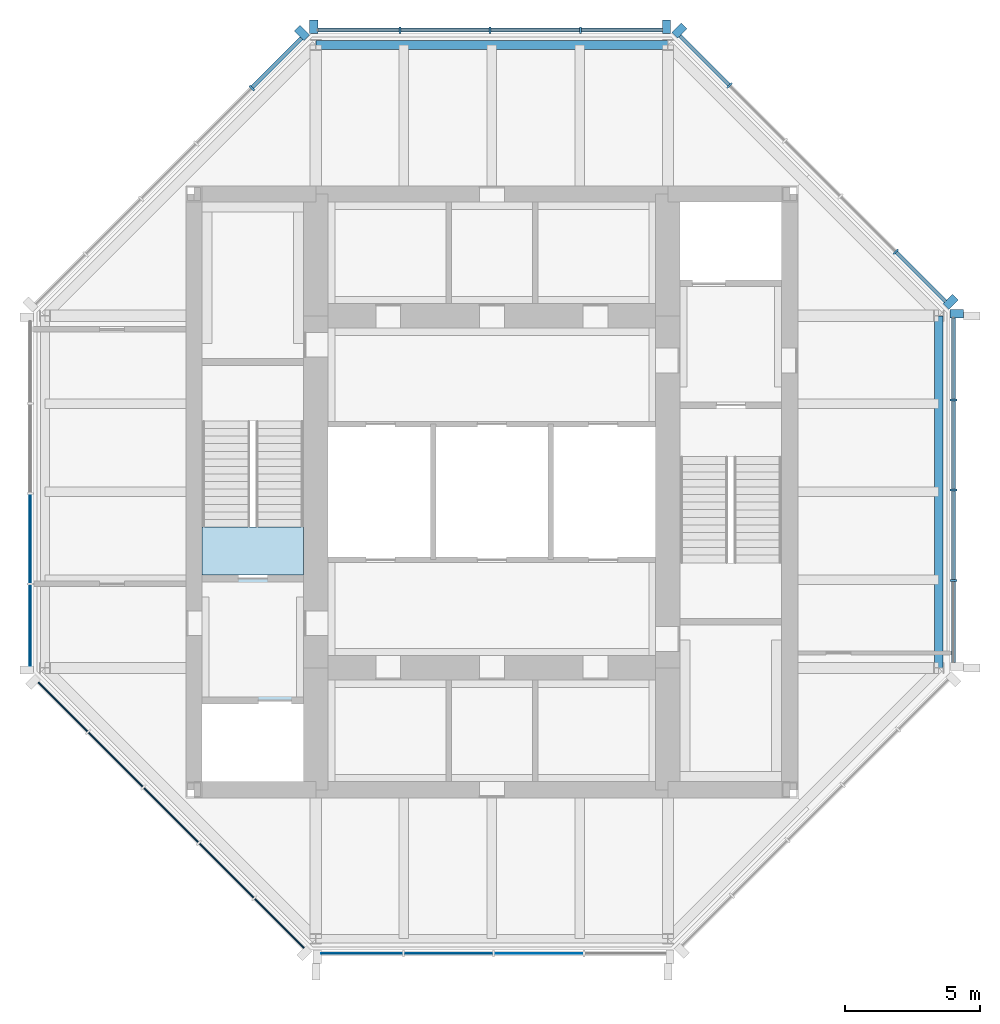
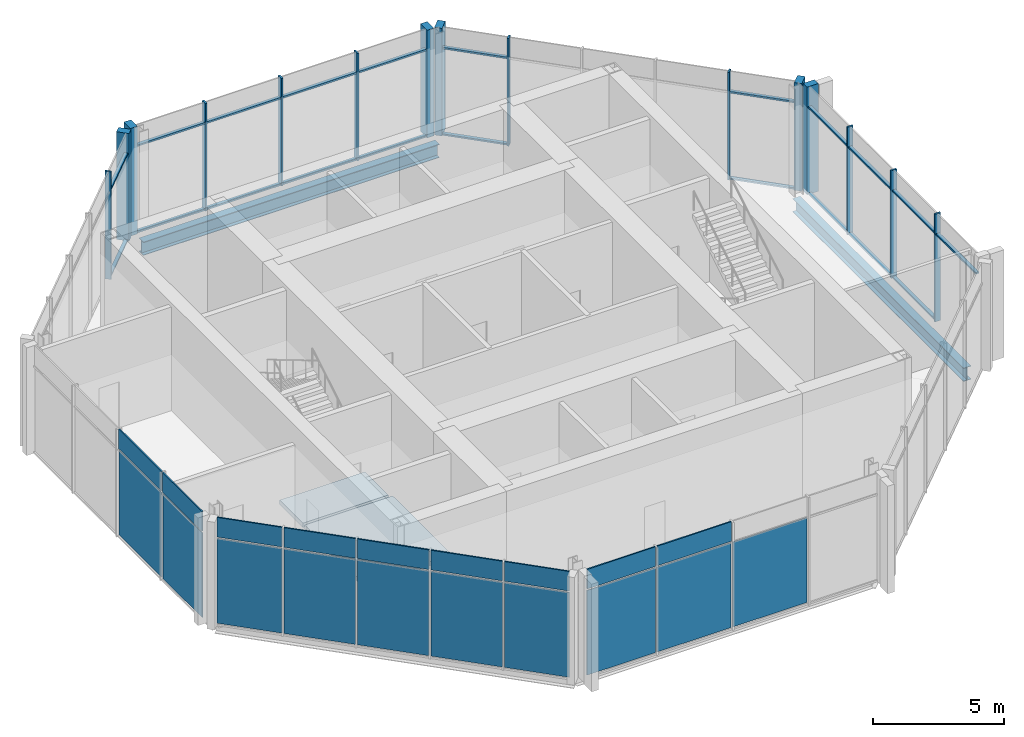
# One storey, part 3 of 7: 36 members, 19 plates, 2 beams, 2 slabs, 8 elements without a shape of their own.
"""IFC4 building model written with IfcOpenShell, lengths in metres."""

from ifc_helpers import new_model, si_unit, direction, frame, origin, origin_2d, place, context, subcontext, project, spatial, polyline, rectangle, i_section, outline, extrude, material, layer, layer_set, material_profile, profile_set, type_object, element, aggregate, save


model = new_model("IFC4")

# Units and contexts
model_context = context("Model", 3, precision=1e-05, world=origin(), true_north=direction((0.0, 1.0)))
body_context = subcontext(model_context, "Body", "Model", "MODEL_VIEW")
ifc_project = project(units=[si_unit("LENGTHUNIT", "METRE"), si_unit("AREAUNIT", "SQUARE_METRE"), si_unit("VOLUMEUNIT", "CUBIC_METRE"), si_unit("PLANEANGLEUNIT", "RADIAN"), si_unit("MASSUNIT", "GRAM", prefix="KILO")], contexts=[model_context])

# Site, building, storey
site_placement = place(None, origin())
site = spatial("IfcSite", under=ifc_project, at=site_placement, CompositionType="ELEMENT")
building_placement = place(site_placement, origin())
building = spatial("IfcBuilding", under=site, at=building_placement, Name="Trevanion Tower", CompositionType="ELEMENT")
storey_placement = place(building_placement, frame((0.0, 0.0, 299.199951171875)))
storey = spatial("IfcBuildingStorey", under=building, at=storey_placement, Name="L74", CompositionType="ELEMENT", Elevation=299.199951171875)

# Curtain wall, members
ifc_material_1 = material(Name="Aluminium and glass", Category="aluminium")
curtain_wall_type = type_object("IfcCurtainWallType", Name="CW4 curtain wall", PredefinedType="USERDEFINED", material=ifc_material_1)
curtain_wall_1_placement = place(storey_placement, origin())
curtain_wall_1 = element("IfcCurtainWall", 1, at=curtain_wall_1_placement, inside=storey, type_object=curtain_wall_type, Name="CW4 L74 0", ObjectType="UNITISED CURTAIN WALL", PredefinedType="USERDEFINED")
ifc_material_2 = material(Name="Aluminium extrusion, anodised bronze", Category="aluminium")
ifc_material_profile_1 = material_profile(ifc_material_2, rectangle(XDim=0.074951171875, YDim=0.25, at=origin_2d()), Name="CW4 mullion")
ifc_profile_set_1 = profile_set([ifc_material_profile_1], Name="Aluminium extrusion, anodised bronze")
member_type_1 = type_object("IfcMemberType", Name="CW4 mullion", PredefinedType="MULLION", material=ifc_profile_set_1)
member_1_placement = place(storey_placement, frame((17.050048828125, -3.266357421875, -0.18994140625), z_axis=(0.0, 0.0, 1.0), x_axis=(0.0, 1.0, 0.0)))
member_1 = element("IfcMember", 2, at=member_1_placement, type_object=member_type_1, Name="CW4 mullion 2", PredefinedType="MULLION", context=body_context, shape_type="SweptSolid", body=[
    extrude(rectangle(XDim=0.074951171875, YDim=0.25, at=origin_2d()), origin(), (0.0, 0.0, 1.0), 5.0),
])
member_2_placement = place(storey_placement, frame((17.050048828125, 0.06494140625, -0.18994140625), z_axis=(0.0, 0.0, 1.0), x_axis=(0.0, 1.0, 0.0)))
member_2 = element("IfcMember", 3, at=member_2_placement, type_object=member_type_1, Name="CW4 mullion 3", PredefinedType="MULLION", context=body_context, shape_type="SweptSolid", body=[
    extrude(rectangle(XDim=0.074951171875, YDim=0.25, at=origin_2d()), origin(), (0.0, 0.0, 1.0), 5.0),
])
member_3_placement = place(storey_placement, frame((17.050048828125, 3.396484375, -0.18994140625), z_axis=(0.0, 0.0, 1.0), x_axis=(0.0, 1.0, 0.0)))
member_3 = element("IfcMember", 4, at=member_3_placement, type_object=member_type_1, Name="CW4 mullion 4", PredefinedType="MULLION", context=body_context, shape_type="SweptSolid", body=[
    extrude(rectangle(XDim=0.074951171875, YDim=0.25, at=origin_2d()), origin(), (0.0, 0.0, 1.0), 5.0),
])

curtain_wall_2_placement = place(storey_placement, origin())
curtain_wall_2 = element("IfcCurtainWall", 5, at=curtain_wall_2_placement, inside=storey, type_object=curtain_wall_type, Name="CW4 L74 1", ObjectType="UNITISED CURTAIN WALL", PredefinedType="USERDEFINED")
member_4_placement = place(storey_placement, frame((14.912109375, 8.86572265625, -0.18994140625), z_axis=(0.0, 0.0, 1.0), x_axis=(-0.707106781187, 0.707106781187, 0.0)))
member_4 = element("IfcMember", 6, at=member_4_placement, type_object=member_type_1, Name="CW4 mullion 2", PredefinedType="MULLION", context=body_context, shape_type="SweptSolid", body=[
    extrude(rectangle(XDim=0.074951171875, YDim=0.25, at=origin_2d()), origin(), (0.0, 0.0, 1.0), 5.0),
])
member_5_placement = place(storey_placement, frame((8.77392578125, 15.00390625, -0.18994140625), z_axis=(0.0, 0.0, 1.0), x_axis=(-0.707106781187, 0.707106781187, 0.0)))
member_5 = element("IfcMember", 7, at=member_5_placement, type_object=member_type_1, Name="CW4 mullion 5", PredefinedType="MULLION", context=body_context, shape_type="SweptSolid", body=[
    extrude(rectangle(XDim=0.074951171875, YDim=0.25, at=origin_2d()), origin(), (0.0, 0.0, 1.0), 5.0),
])

curtain_wall_3_placement = place(storey_placement, origin())
curtain_wall_3 = element("IfcCurtainWall", 8, at=curtain_wall_3_placement, inside=storey, type_object=curtain_wall_type, Name="CW4 L74 2", ObjectType="UNITISED CURTAIN WALL", PredefinedType="USERDEFINED")
member_6_placement = place(storey_placement, frame((3.266357421875, 17.050048828125, -0.18994140625), z_axis=(0.0, 0.0, 1.0), x_axis=(-1.0, 0.0, 0.0)))
member_6 = element("IfcMember", 9, at=member_6_placement, type_object=member_type_1, Name="CW4 mullion 2", PredefinedType="MULLION", context=body_context, shape_type="SweptSolid", body=[
    extrude(rectangle(XDim=0.074951171875, YDim=0.25, at=origin_2d()), origin(), (0.0, 0.0, 1.0), 5.0),
])
member_7_placement = place(storey_placement, frame((-0.06494140625, 17.050048828125, -0.18994140625), z_axis=(0.0, 0.0, 1.0), x_axis=(-1.0, 0.0, 0.0)))
member_7 = element("IfcMember", 10, at=member_7_placement, type_object=member_type_1, Name="CW4 mullion 3", PredefinedType="MULLION", context=body_context, shape_type="SweptSolid", body=[
    extrude(rectangle(XDim=0.074951171875, YDim=0.25, at=origin_2d()), origin(), (0.0, 0.0, 1.0), 5.0),
])
member_8_placement = place(storey_placement, frame((-3.396484375, 17.050048828125, -0.18994140625), z_axis=(0.0, 0.0, 1.0), x_axis=(-1.0, 0.0, 0.0)))
member_8 = element("IfcMember", 11, at=member_8_placement, type_object=member_type_1, Name="CW4 mullion 4", PredefinedType="MULLION", context=body_context, shape_type="SweptSolid", body=[
    extrude(rectangle(XDim=0.074951171875, YDim=0.25, at=origin_2d()), origin(), (0.0, 0.0, 1.0), 5.0),
])

# Curtain wall, member
curtain_wall_4_placement = place(storey_placement, origin())
curtain_wall_4 = element("IfcCurtainWall", 12, at=curtain_wall_4_placement, inside=storey, type_object=curtain_wall_type, Name="CW4 L74 3", ObjectType="UNITISED CURTAIN WALL", PredefinedType="USERDEFINED")
member_9_placement = place(storey_placement, frame((-8.86572265625, 14.912109375, -0.18994140625), z_axis=(0.0, 0.0, 1.0), x_axis=(-0.707106781187, -0.707106781187, 0.0)))
member_9 = element("IfcMember", 13, at=member_9_placement, type_object=member_type_1, Name="CW4 mullion 2", PredefinedType="MULLION", context=body_context, shape_type="SweptSolid", body=[
    extrude(rectangle(XDim=0.074951171875, YDim=0.25, at=origin_2d()), origin(), (0.0, 0.0, 1.0), 5.0),
])

# Member
ifc_material_3 = material(Name="Aluminium extrusion, anodised bronze", Category="aluminium")
ifc_material_profile_2 = material_profile(ifc_material_3, rectangle(XDim=0.300048828125, YDim=0.5, at=origin_2d()), Name="CW4 pier mullion")
ifc_profile_set_2 = profile_set([ifc_material_profile_2], Name="Aluminium extrusion, anodised bronze")
member_type_2 = type_object("IfcMemberType", Name="CW4 pier mullion", PredefinedType="MULLION", material=ifc_profile_set_2)
member_10_placement = place(storey_placement, frame((17.175048828125, 6.577880859375, -0.18994140625), z_axis=(0.0, 0.0, 1.0), x_axis=(0.0, 1.0, 0.0)))
member_10 = element("IfcMember", 14, at=member_10_placement, type_object=member_type_2, Name="CW4 pier mullion 5", PredefinedType="MULLION", context=body_context, shape_type="SweptSolid", body=[
    extrude(rectangle(XDim=0.300048828125, YDim=0.5, at=origin_2d()), origin(), (0.0, 0.0, 1.0), 5.0),
])

member_11_placement = place(storey_placement, frame((16.9404296875, 7.01416015625, -0.18994140625), z_axis=(0.0, 0.0, 1.0), x_axis=(-0.707106781187, 0.707106781187, 0.0)))
member_11 = element("IfcMember", 15, at=member_11_placement, type_object=member_type_2, Name="CW4 pier mullion 1", PredefinedType="MULLION", context=body_context, shape_type="SweptSolid", body=[
    extrude(rectangle(XDim=0.300048828125, YDim=0.5, at=origin_2d()), origin(), (0.0, 0.0, 1.0), 5.0),
])

member_12_placement = place(storey_placement, frame((6.92236328125, 17.0322265625, -0.18994140625), z_axis=(0.0, 0.0, 1.0), x_axis=(-0.707106781187, 0.707106781187, 0.0)))
member_12 = element("IfcMember", 16, at=member_12_placement, type_object=member_type_2, Name="CW4 pier mullion 6", PredefinedType="MULLION", context=body_context, shape_type="SweptSolid", body=[
    extrude(rectangle(XDim=0.300048828125, YDim=0.5, at=origin_2d()), origin(), (0.0, 0.0, 1.0), 5.0),
])

member_13_placement = place(storey_placement, frame((6.44775390625, 17.175048828125, -0.18994140625), z_axis=(0.0, 0.0, 1.0), x_axis=(-1.0, 0.0, 0.0)))
member_13 = element("IfcMember", 17, at=member_13_placement, type_object=member_type_2, Name="CW4 pier mullion 1", PredefinedType="MULLION", context=body_context, shape_type="SweptSolid", body=[
    extrude(rectangle(XDim=0.300048828125, YDim=0.5, at=origin_2d()), origin(), (0.0, 0.0, 1.0), 5.0),
])

member_14_placement = place(storey_placement, frame((-6.577880859375, 17.175048828125, -0.18994140625), z_axis=(0.0, 0.0, 1.0), x_axis=(-1.0, 0.0, 0.0)))
member_14 = element("IfcMember", 18, at=member_14_placement, type_object=member_type_2, Name="CW4 pier mullion 5", PredefinedType="MULLION", context=body_context, shape_type="SweptSolid", body=[
    extrude(rectangle(XDim=0.300048828125, YDim=0.5, at=origin_2d()), origin(), (0.0, 0.0, 1.0), 5.0),
])

member_15_placement = place(storey_placement, frame((-7.01416015625, 16.9404296875, -0.18994140625), z_axis=(0.0, 0.0, 1.0), x_axis=(-0.707106781187, -0.707106781187, 0.0)))
member_15 = element("IfcMember", 19, at=member_15_placement, type_object=member_type_2, Name="CW4 pier mullion 1", PredefinedType="MULLION", context=body_context, shape_type="SweptSolid", body=[
    extrude(rectangle(XDim=0.300048828125, YDim=0.5, at=origin_2d()), origin(), (0.0, 0.0, 1.0), 5.0),
])

ifc_material_4 = material(Name="Aluminium extrusion, anodised bronze", Category="aluminium")
ifc_material_profile_3 = material_profile(ifc_material_4, rectangle(XDim=0.14990234375, YDim=0.074951171875, at=origin_2d()), Name="CW4 transom")
ifc_profile_set_3 = profile_set([ifc_material_profile_3], Name="Aluminium extrusion, anodised bronze")
member_type_3 = type_object("IfcMemberType", Name="CW4 transom", PredefinedType="USERDEFINED", material=ifc_profile_set_3)
member_16_placement = place(storey_placement, frame((17.050048828125, -6.2978515625, 3.860107421875), z_axis=(0.0, 1.0, 0.0), x_axis=(-1.0, 0.0, 0.0)))
member_16 = element("IfcMember", 20, at=member_16_placement, type_object=member_type_3, Name="CW4 transom 1.2", ObjectType="TRANSOM", PredefinedType="USERDEFINED", context=body_context, shape_type="SweptSolid", body=[
    extrude(rectangle(XDim=0.14990234375, YDim=0.074951171875, at=origin_2d()), origin(), (0.0, 0.0, 1.0), 2.993896484375),
])

member_17_placement = place(storey_placement, frame((17.050048828125, -3.22900390625, -0.15234375), z_axis=(0.0, 1.0, 0.0), x_axis=(-1.0, 0.0, 0.0)))
member_17 = element("IfcMember", 21, at=member_17_placement, type_object=member_type_3, Name="CW4 transom 2.1", ObjectType="TRANSOM", PredefinedType="USERDEFINED", context=body_context, shape_type="SweptSolid", body=[
    extrude(rectangle(XDim=0.14990234375, YDim=0.074951171875, at=origin_2d()), origin(), (0.0, 0.0, 1.0), 3.256591796875),
])

member_18_placement = place(storey_placement, frame((17.050048828125, -3.22900390625, 3.860107421875), z_axis=(0.0, 1.0, 0.0), x_axis=(-1.0, 0.0, 0.0)))
member_18 = element("IfcMember", 22, at=member_18_placement, type_object=member_type_3, Name="CW4 transom 2.2", ObjectType="TRANSOM", PredefinedType="USERDEFINED", context=body_context, shape_type="SweptSolid", body=[
    extrude(rectangle(XDim=0.14990234375, YDim=0.074951171875, at=origin_2d()), origin(), (0.0, 0.0, 1.0), 3.256591796875),
])

member_19_placement = place(storey_placement, frame((17.050048828125, 0.1025390625, -0.15234375), z_axis=(0.0, 1.0, 0.0), x_axis=(-1.0, 0.0, 0.0)))
member_19 = element("IfcMember", 23, at=member_19_placement, type_object=member_type_3, Name="CW4 transom 3.1", ObjectType="TRANSOM", PredefinedType="USERDEFINED", context=body_context, shape_type="SweptSolid", body=[
    extrude(rectangle(XDim=0.14990234375, YDim=0.074951171875, at=origin_2d()), origin(), (0.0, 0.0, 1.0), 3.25634765625),
])

member_20_placement = place(storey_placement, frame((17.050048828125, 0.1025390625, 3.860107421875), z_axis=(0.0, 1.0, 0.0), x_axis=(-1.0, 0.0, 0.0)))
member_20 = element("IfcMember", 24, at=member_20_placement, type_object=member_type_3, Name="CW4 transom 3.2", ObjectType="TRANSOM", PredefinedType="USERDEFINED", context=body_context, shape_type="SweptSolid", body=[
    extrude(rectangle(XDim=0.14990234375, YDim=0.074951171875, at=origin_2d()), origin(), (0.0, 0.0, 1.0), 3.25634765625),
])

member_21_placement = place(storey_placement, frame((17.050048828125, 3.433837890625, -0.15234375), z_axis=(0.0, 1.0, 0.0), x_axis=(-1.0, 0.0, 0.0)))
member_21 = element("IfcMember", 25, at=member_21_placement, type_object=member_type_3, Name="CW4 transom 4.1", ObjectType="TRANSOM", PredefinedType="USERDEFINED", context=body_context, shape_type="SweptSolid", body=[
    extrude(rectangle(XDim=0.14990234375, YDim=0.074951171875, at=origin_2d()), origin(), (0.0, 0.0, 1.0), 2.993896484375),
])

member_22_placement = place(storey_placement, frame((17.050048828125, 3.433837890625, 3.860107421875), z_axis=(0.0, 1.0, 0.0), x_axis=(-1.0, 0.0, 0.0)))
member_22 = element("IfcMember", 26, at=member_22_placement, type_object=member_type_3, Name="CW4 transom 4.2", ObjectType="TRANSOM", PredefinedType="USERDEFINED", context=body_context, shape_type="SweptSolid", body=[
    extrude(rectangle(XDim=0.14990234375, YDim=0.074951171875, at=origin_2d()), origin(), (0.0, 0.0, 1.0), 2.993896484375),
])

aggregate(curtain_wall_1, [member_1, member_2, member_3, member_10, member_16, member_17, member_18, member_19, member_20, member_21, member_22])

member_23_placement = place(storey_placement, frame((16.745849609375, 7.031982421875, -0.15234375), z_axis=(-0.707106781187, 0.707106781187, 0.0), x_axis=(-0.707106781187, -0.707106781187, 0.0)))
member_23 = element("IfcMember", 27, at=member_23_placement, type_object=member_type_3, Name="CW4 transom 1.1", ObjectType="TRANSOM", PredefinedType="USERDEFINED", context=body_context, shape_type="SweptSolid", body=[
    extrude(rectangle(XDim=0.14990234375, YDim=0.074951171875, at=origin_2d()), origin(), (0.0, 0.0, 1.0), 2.555908203125),
])

member_24_placement = place(storey_placement, frame((16.745849609375, 7.031982421875, 3.860107421875), z_axis=(-0.707106781187, 0.707106781187, 0.0), x_axis=(-0.707106781187, -0.707106781187, 0.0)))
member_24 = element("IfcMember", 28, at=member_24_placement, type_object=member_type_3, Name="CW4 transom 1.2", ObjectType="TRANSOM", PredefinedType="USERDEFINED", context=body_context, shape_type="SweptSolid", body=[
    extrude(rectangle(XDim=0.14990234375, YDim=0.074951171875, at=origin_2d()), origin(), (0.0, 0.0, 1.0), 2.555908203125),
])

member_25_placement = place(storey_placement, frame((8.747314453125, 15.030517578125, -0.15234375), z_axis=(-0.707106781187, 0.707106781187, 0.0), x_axis=(-0.707106781187, -0.707106781187, 0.0)))
member_25 = element("IfcMember", 29, at=member_25_placement, type_object=member_type_3, Name="CW4 transom 5.1", ObjectType="TRANSOM", PredefinedType="USERDEFINED", context=body_context, shape_type="SweptSolid", body=[
    extrude(rectangle(XDim=0.14990234375, YDim=0.074951171875, at=origin_2d()), origin(), (0.0, 0.0, 1.0), 2.555908203125),
])

member_26_placement = place(storey_placement, frame((8.747314453125, 15.030517578125, 3.860107421875), z_axis=(-0.707106781187, 0.707106781187, 0.0), x_axis=(-0.707106781187, -0.707106781187, 0.0)))
member_26 = element("IfcMember", 30, at=member_26_placement, type_object=member_type_3, Name="CW4 transom 5.2", ObjectType="TRANSOM", PredefinedType="USERDEFINED", context=body_context, shape_type="SweptSolid", body=[
    extrude(rectangle(XDim=0.14990234375, YDim=0.074951171875, at=origin_2d()), origin(), (0.0, 0.0, 1.0), 2.555908203125),
])

aggregate(curtain_wall_2, [member_11, member_4, member_5, member_12, member_23, member_24, member_25, member_26])

member_27_placement = place(storey_placement, frame((6.2978515625, 17.050048828125, -0.15234375), z_axis=(-1.0, 0.0, 0.0), x_axis=(0.0, -1.0, 0.0)))
member_27 = element("IfcMember", 31, at=member_27_placement, type_object=member_type_3, Name="CW4 transom 1.1", ObjectType="TRANSOM", PredefinedType="USERDEFINED", context=body_context, shape_type="SweptSolid", body=[
    extrude(rectangle(XDim=0.14990234375, YDim=0.074951171875, at=origin_2d()), origin(), (0.0, 0.0, 1.0), 2.993896484375),
])

member_28_placement = place(storey_placement, frame((6.2978515625, 17.050048828125, 3.860107421875), z_axis=(-1.0, 0.0, 0.0), x_axis=(0.0, -1.0, 0.0)))
member_28 = element("IfcMember", 32, at=member_28_placement, type_object=member_type_3, Name="CW4 transom 1.2", ObjectType="TRANSOM", PredefinedType="USERDEFINED", context=body_context, shape_type="SweptSolid", body=[
    extrude(rectangle(XDim=0.14990234375, YDim=0.074951171875, at=origin_2d()), origin(), (0.0, 0.0, 1.0), 2.993896484375),
])

member_29_placement = place(storey_placement, frame((3.22900390625, 17.050048828125, -0.15234375), z_axis=(-1.0, 0.0, 0.0), x_axis=(0.0, -1.0, 0.0)))
member_29 = element("IfcMember", 33, at=member_29_placement, type_object=member_type_3, Name="CW4 transom 2.1", ObjectType="TRANSOM", PredefinedType="USERDEFINED", context=body_context, shape_type="SweptSolid", body=[
    extrude(rectangle(XDim=0.14990234375, YDim=0.074951171875, at=origin_2d()), origin(), (0.0, 0.0, 1.0), 3.256591796875),
])

member_30_placement = place(storey_placement, frame((3.22900390625, 17.050048828125, 3.860107421875), z_axis=(-1.0, 0.0, 0.0), x_axis=(0.0, -1.0, 0.0)))
member_30 = element("IfcMember", 34, at=member_30_placement, type_object=member_type_3, Name="CW4 transom 2.2", ObjectType="TRANSOM", PredefinedType="USERDEFINED", context=body_context, shape_type="SweptSolid", body=[
    extrude(rectangle(XDim=0.14990234375, YDim=0.074951171875, at=origin_2d()), origin(), (0.0, 0.0, 1.0), 3.256591796875),
])

member_31_placement = place(storey_placement, frame((-0.1025390625, 17.050048828125, -0.15234375), z_axis=(-1.0, 0.0, 0.0), x_axis=(0.0, -1.0, 0.0)))
member_31 = element("IfcMember", 35, at=member_31_placement, type_object=member_type_3, Name="CW4 transom 3.1", ObjectType="TRANSOM", PredefinedType="USERDEFINED", context=body_context, shape_type="SweptSolid", body=[
    extrude(rectangle(XDim=0.14990234375, YDim=0.074951171875, at=origin_2d()), origin(), (0.0, 0.0, 1.0), 3.25634765625),
])

member_32_placement = place(storey_placement, frame((-0.1025390625, 17.050048828125, 3.860107421875), z_axis=(-1.0, 0.0, 0.0), x_axis=(0.0, -1.0, 0.0)))
member_32 = element("IfcMember", 36, at=member_32_placement, type_object=member_type_3, Name="CW4 transom 3.2", ObjectType="TRANSOM", PredefinedType="USERDEFINED", context=body_context, shape_type="SweptSolid", body=[
    extrude(rectangle(XDim=0.14990234375, YDim=0.074951171875, at=origin_2d()), origin(), (0.0, 0.0, 1.0), 3.25634765625),
])

member_33_placement = place(storey_placement, frame((-3.433837890625, 17.050048828125, -0.15234375), z_axis=(-1.0, 0.0, 0.0), x_axis=(0.0, -1.0, 0.0)))
member_33 = element("IfcMember", 37, at=member_33_placement, type_object=member_type_3, Name="CW4 transom 4.1", ObjectType="TRANSOM", PredefinedType="USERDEFINED", context=body_context, shape_type="SweptSolid", body=[
    extrude(rectangle(XDim=0.14990234375, YDim=0.074951171875, at=origin_2d()), origin(), (0.0, 0.0, 1.0), 2.993896484375),
])

member_34_placement = place(storey_placement, frame((-3.433837890625, 17.050048828125, 3.860107421875), z_axis=(-1.0, 0.0, 0.0), x_axis=(0.0, -1.0, 0.0)))
member_34 = element("IfcMember", 38, at=member_34_placement, type_object=member_type_3, Name="CW4 transom 4.2", ObjectType="TRANSOM", PredefinedType="USERDEFINED", context=body_context, shape_type="SweptSolid", body=[
    extrude(rectangle(XDim=0.14990234375, YDim=0.074951171875, at=origin_2d()), origin(), (0.0, 0.0, 1.0), 2.993896484375),
])

aggregate(curtain_wall_3, [member_13, member_6, member_7, member_8, member_14, member_27, member_28, member_29, member_30, member_31, member_32, member_33, member_34])

member_35_placement = place(storey_placement, frame((-7.031982421875, 16.745849609375, -0.15234375), z_axis=(-0.707106781187, -0.707106781187, 0.0), x_axis=(0.707106781187, -0.707106781187, 0.0)))
member_35 = element("IfcMember", 39, at=member_35_placement, type_object=member_type_3, Name="CW4 transom 1.1", ObjectType="TRANSOM", PredefinedType="USERDEFINED", context=body_context, shape_type="SweptSolid", body=[
    extrude(rectangle(XDim=0.14990234375, YDim=0.074951171875, at=origin_2d()), origin(), (0.0, 0.0, 1.0), 2.555908203125),
])

member_36_placement = place(storey_placement, frame((-7.031982421875, 16.745849609375, 3.860107421875), z_axis=(-0.707106781187, -0.707106781187, 0.0), x_axis=(0.707106781187, -0.707106781187, 0.0)))
member_36 = element("IfcMember", 40, at=member_36_placement, type_object=member_type_3, Name="CW4 transom 1.2", ObjectType="TRANSOM", PredefinedType="USERDEFINED", context=body_context, shape_type="SweptSolid", body=[
    extrude(rectangle(XDim=0.14990234375, YDim=0.074951171875, at=origin_2d()), origin(), (0.0, 0.0, 1.0), 2.555908203125),
])

aggregate(curtain_wall_4, [member_15, member_9, member_35, member_36])

# Beams
ifc_material_5 = material(Name="Steel ASTM A992 Grade 50", Category="steel")
ifc_material_profile_4 = material_profile(ifc_material_5, i_section(OverallWidth=0.32763671875, OverallDepth=0.622314453125, WebThickness=0.015380859375, FlangeThickness=0.0244140625, at=origin_2d()), Name="W24X131")
ifc_profile_set_4 = profile_set([ifc_material_profile_4], Name="Steel ASTM A992 Grade 50")
beam_type = type_object("IfcBeamType", Name="SB12 W24X131", PredefinedType="SPANDREL", material=ifc_profile_set_4)
for number, where, z_axis, x_axis, name in (
    (41, (16.5, -6.5, -0.501220703125), (0.0, 1.0, 0.0), (-1.0, 0.0, 0.0), "SB12 L74"),
    (42, (6.5, 16.5, -0.501220703125), (-1.0, 0.0, 0.0), (0.0, -1.0, 0.0), "SB12 L74"),
):
    element("IfcBeam", number, at=place(storey_placement, frame(where, z_axis=z_axis, x_axis=x_axis)), inside=storey, type_object=beam_type, Name=name, PredefinedType="SPANDREL", context=body_context, shape_type="SweptSolid", body=[
        extrude(i_section(OverallWidth=0.32763671875, OverallDepth=0.622314453125, WebThickness=0.015380859375, FlangeThickness=0.0244140625, at=origin_2d()), origin(), (0.0, 0.0, 1.0), 13.0),
    ])

# Curtain wall, plates
curtain_wall_5_placement = place(storey_placement, origin())
curtain_wall_5 = element("IfcCurtainWall", 43, at=curtain_wall_5_placement, inside=storey, type_object=curtain_wall_type, Name="CW4 L74 4", ObjectType="UNITISED CURTAIN WALL", PredefinedType="USERDEFINED")
ifc_material_6 = material(Name="Aluminium spandrel panel", Category="aluminium")
ifc_layer_1 = layer(ifc_material_6, 0.06005859375)
ifc_layer_set_1 = layer_set([ifc_layer_1], Name="CW4 spandrel panel")
plate_type_1 = type_object("IfcPlateType", Name="CW4 spandrel panel", PredefinedType="CURTAIN_PANEL", material=ifc_layer_set_1)
plate_1_placement = place(storey_placement, frame((-17.050048828125, -1.730712890625, 3.8974609375), z_axis=(0.0, 0.0, 1.0), x_axis=(0.0, -1.0, 0.0)))
plate_1 = element("IfcPlate", 44, at=plate_1_placement, type_object=plate_type_1, Name="CW4 panel 3.2", PredefinedType="CURTAIN_PANEL", context=body_context, shape_type="SweptSolid", body=[
    extrude(rectangle(XDim=3.25634765625, YDim=0.06005859375, at=origin_2d()), origin(), (0.0, 0.0, 1.0), 0.91259765625),
])
plate_2_placement = place(storey_placement, frame((-17.050048828125, -4.930908203125, 3.8974609375), z_axis=(0.0, 0.0, 1.0), x_axis=(0.0, -1.0, 0.0)))
plate_2 = element("IfcPlate", 45, at=plate_2_placement, type_object=plate_type_1, Name="CW4 panel 4.2", PredefinedType="CURTAIN_PANEL", context=body_context, shape_type="SweptSolid", body=[
    extrude(rectangle(XDim=2.993896484375, YDim=0.06005859375, at=origin_2d()), origin(), (0.0, 0.0, 1.0), 0.91259765625),
])

curtain_wall_6_placement = place(storey_placement, origin())
curtain_wall_6 = element("IfcCurtainWall", 46, at=curtain_wall_6_placement, inside=storey, type_object=curtain_wall_type, Name="CW4 L74 5", ObjectType="UNITISED CURTAIN WALL", PredefinedType="USERDEFINED")
plate_3_placement = place(storey_placement, frame((-15.84228515625, -7.935546875, 3.8974609375), z_axis=(0.0, 0.0, 1.0), x_axis=(0.707106781187, -0.707106781187, 0.0)))
plate_3 = element("IfcPlate", 47, at=plate_3_placement, type_object=plate_type_1, Name="CW4 panel 1.2", PredefinedType="CURTAIN_PANEL", context=body_context, shape_type="SweptSolid", body=[
    extrude(rectangle(XDim=2.55615234375, YDim=0.06005859375, at=origin_2d()), origin(), (0.0, 0.0, 1.0), 0.91259765625),
])
plate_4_placement = place(storey_placement, frame((-13.888916015625, -9.888916015625, 3.8974609375), z_axis=(0.0, 0.0, 1.0), x_axis=(0.707106781187, -0.707106781187, 0.0)))
plate_4 = element("IfcPlate", 48, at=plate_4_placement, type_object=plate_type_1, Name="CW4 panel 2.2", PredefinedType="CURTAIN_PANEL", context=body_context, shape_type="SweptSolid", body=[
    extrude(rectangle(XDim=2.818603515625, YDim=0.06005859375, at=origin_2d()), origin(), (0.0, 0.0, 1.0), 0.91259765625),
])
plate_5_placement = place(storey_placement, frame((-11.843017578125, -11.934814453125, 3.8974609375), z_axis=(0.0, 0.0, 1.0), x_axis=(0.707106781187, -0.707106781187, 0.0)))
plate_5 = element("IfcPlate", 49, at=plate_5_placement, type_object=plate_type_1, Name="CW4 panel 3.2", PredefinedType="CURTAIN_PANEL", context=body_context, shape_type="SweptSolid", body=[
    extrude(rectangle(XDim=2.818603515625, YDim=0.06005859375, at=origin_2d()), origin(), (0.0, 0.0, 1.0), 0.91259765625),
])
plate_6_placement = place(storey_placement, frame((-9.796875, -13.98095703125, 3.8974609375), z_axis=(0.0, 0.0, 1.0), x_axis=(0.707106781187, -0.707106781187, 0.0)))
plate_6 = element("IfcPlate", 50, at=plate_6_placement, type_object=plate_type_1, Name="CW4 panel 4.2", PredefinedType="CURTAIN_PANEL", context=body_context, shape_type="SweptSolid", body=[
    extrude(rectangle(XDim=2.818603515625, YDim=0.06005859375, at=origin_2d()), origin(), (0.0, 0.0, 1.0), 0.91259765625),
])
plate_7_placement = place(storey_placement, frame((-7.84375, -15.93408203125, 3.8974609375), z_axis=(0.0, 0.0, 1.0), x_axis=(0.707106781187, -0.707106781187, 0.0)))
plate_7 = element("IfcPlate", 51, at=plate_7_placement, type_object=plate_type_1, Name="CW4 panel 5.2", PredefinedType="CURTAIN_PANEL", context=body_context, shape_type="SweptSolid", body=[
    extrude(rectangle(XDim=2.55615234375, YDim=0.06005859375, at=origin_2d()), origin(), (0.0, 0.0, 1.0), 0.91259765625),
])

curtain_wall_7_placement = place(storey_placement, origin())
curtain_wall_7 = element("IfcCurtainWall", 52, at=curtain_wall_7_placement, inside=storey, type_object=curtain_wall_type, Name="CW4 L74 6", ObjectType="UNITISED CURTAIN WALL", PredefinedType="USERDEFINED")
plate_8_placement = place(storey_placement, frame((-4.80078125, -17.050048828125, 3.8974609375), z_axis=(0.0, 0.0, 1.0), x_axis=(1.0, 0.0, 0.0)))
plate_8 = element("IfcPlate", 53, at=plate_8_placement, type_object=plate_type_1, Name="CW4 panel 1.2", PredefinedType="CURTAIN_PANEL", context=body_context, shape_type="SweptSolid", body=[
    extrude(rectangle(XDim=2.993896484375, YDim=0.06005859375, at=origin_2d()), origin(), (0.0, 0.0, 1.0), 0.91259765625),
])
plate_9_placement = place(storey_placement, frame((-1.6005859375, -17.050048828125, 3.8974609375), z_axis=(0.0, 0.0, 1.0), x_axis=(1.0, 0.0, 0.0)))
plate_9 = element("IfcPlate", 54, at=plate_9_placement, type_object=plate_type_1, Name="CW4 panel 2.2", PredefinedType="CURTAIN_PANEL", context=body_context, shape_type="SweptSolid", body=[
    extrude(rectangle(XDim=3.25634765625, YDim=0.06005859375, at=origin_2d()), origin(), (0.0, 0.0, 1.0), 0.91259765625),
])

# Plate
ifc_material_7 = material(Name="Insulating glass unit", Category="glass")
ifc_layer_2 = layer(ifc_material_7, 0.028076171875)
ifc_layer_set_2 = layer_set([ifc_layer_2], Name="CW4 vision panel")
plate_type_2 = type_object("IfcPlateType", Name="CW4 vision panel", PredefinedType="CURTAIN_PANEL", material=ifc_layer_set_2)
plate_10_placement = place(storey_placement, frame((-17.050048828125, -1.730712890625, -0.114990234375), z_axis=(0.0, 0.0, 1.0), x_axis=(0.0, -1.0, 0.0)))
plate_10 = element("IfcPlate", 55, at=plate_10_placement, type_object=plate_type_2, Name="CW4 panel 3.1", PredefinedType="CURTAIN_PANEL", context=body_context, shape_type="SweptSolid", body=[
    extrude(rectangle(XDim=3.25634765625, YDim=0.028076171875, at=origin_2d()), origin(), (0.0, 0.0, 1.0), 3.9375),
])

plate_11_placement = place(storey_placement, frame((-17.050048828125, -4.930908203125, -0.114990234375), z_axis=(0.0, 0.0, 1.0), x_axis=(0.0, -1.0, 0.0)))
plate_11 = element("IfcPlate", 56, at=plate_11_placement, type_object=plate_type_2, Name="CW4 panel 4.1", PredefinedType="CURTAIN_PANEL", context=body_context, shape_type="SweptSolid", body=[
    extrude(rectangle(XDim=2.993896484375, YDim=0.028076171875, at=origin_2d()), origin(), (0.0, 0.0, 1.0), 3.9375),
])

aggregate(curtain_wall_5, [plate_10, plate_1, plate_11, plate_2])

plate_12_placement = place(storey_placement, frame((-15.84228515625, -7.935546875, -0.114990234375), z_axis=(0.0, 0.0, 1.0), x_axis=(0.707106781187, -0.707106781187, 0.0)))
plate_12 = element("IfcPlate", 57, at=plate_12_placement, type_object=plate_type_2, Name="CW4 panel 1.1", PredefinedType="CURTAIN_PANEL", context=body_context, shape_type="SweptSolid", body=[
    extrude(rectangle(XDim=2.55615234375, YDim=0.028076171875, at=origin_2d()), origin(), (0.0, 0.0, 1.0), 3.9375),
])

plate_13_placement = place(storey_placement, frame((-13.888916015625, -9.888916015625, -0.114990234375), z_axis=(0.0, 0.0, 1.0), x_axis=(0.707106781187, -0.707106781187, 0.0)))
plate_13 = element("IfcPlate", 58, at=plate_13_placement, type_object=plate_type_2, Name="CW4 panel 2.1", PredefinedType="CURTAIN_PANEL", context=body_context, shape_type="SweptSolid", body=[
    extrude(rectangle(XDim=2.818603515625, YDim=0.028076171875, at=origin_2d()), origin(), (0.0, 0.0, 1.0), 3.9375),
])

plate_14_placement = place(storey_placement, frame((-11.843017578125, -11.934814453125, -0.114990234375), z_axis=(0.0, 0.0, 1.0), x_axis=(0.707106781187, -0.707106781187, 0.0)))
plate_14 = element("IfcPlate", 59, at=plate_14_placement, type_object=plate_type_2, Name="CW4 panel 3.1", PredefinedType="CURTAIN_PANEL", context=body_context, shape_type="SweptSolid", body=[
    extrude(rectangle(XDim=2.818603515625, YDim=0.028076171875, at=origin_2d()), origin(), (0.0, 0.0, 1.0), 3.9375),
])

plate_15_placement = place(storey_placement, frame((-9.796875, -13.98095703125, -0.114990234375), z_axis=(0.0, 0.0, 1.0), x_axis=(0.707106781187, -0.707106781187, 0.0)))
plate_15 = element("IfcPlate", 60, at=plate_15_placement, type_object=plate_type_2, Name="CW4 panel 4.1", PredefinedType="CURTAIN_PANEL", context=body_context, shape_type="SweptSolid", body=[
    extrude(rectangle(XDim=2.818603515625, YDim=0.028076171875, at=origin_2d()), origin(), (0.0, 0.0, 1.0), 3.9375),
])

plate_16_placement = place(storey_placement, frame((-7.84375, -15.93408203125, -0.114990234375), z_axis=(0.0, 0.0, 1.0), x_axis=(0.707106781187, -0.707106781187, 0.0)))
plate_16 = element("IfcPlate", 61, at=plate_16_placement, type_object=plate_type_2, Name="CW4 panel 5.1", PredefinedType="CURTAIN_PANEL", context=body_context, shape_type="SweptSolid", body=[
    extrude(rectangle(XDim=2.55615234375, YDim=0.028076171875, at=origin_2d()), origin(), (0.0, 0.0, 1.0), 3.9375),
])

aggregate(curtain_wall_6, [plate_12, plate_3, plate_13, plate_4, plate_14, plate_5, plate_15, plate_6, plate_16, plate_7])

plate_17_placement = place(storey_placement, frame((-4.80078125, -17.050048828125, -0.114990234375), z_axis=(0.0, 0.0, 1.0), x_axis=(1.0, 0.0, 0.0)))
plate_17 = element("IfcPlate", 62, at=plate_17_placement, type_object=plate_type_2, Name="CW4 panel 1.1", PredefinedType="CURTAIN_PANEL", context=body_context, shape_type="SweptSolid", body=[
    extrude(rectangle(XDim=2.993896484375, YDim=0.028076171875, at=origin_2d()), origin(), (0.0, 0.0, 1.0), 3.9375),
])

plate_18_placement = place(storey_placement, frame((-1.6005859375, -17.050048828125, -0.114990234375), z_axis=(0.0, 0.0, 1.0), x_axis=(1.0, 0.0, 0.0)))
plate_18 = element("IfcPlate", 63, at=plate_18_placement, type_object=plate_type_2, Name="CW4 panel 2.1", PredefinedType="CURTAIN_PANEL", context=body_context, shape_type="SweptSolid", body=[
    extrude(rectangle(XDim=3.25634765625, YDim=0.028076171875, at=origin_2d()), origin(), (0.0, 0.0, 1.0), 3.9375),
])

plate_19_placement = place(storey_placement, frame((1.730712890625, -17.050048828125, -0.114990234375), z_axis=(0.0, 0.0, 1.0), x_axis=(1.0, 0.0, 0.0)))
plate_19 = element("IfcPlate", 64, at=plate_19_placement, type_object=plate_type_2, Name="CW4 panel 3.1", PredefinedType="CURTAIN_PANEL", context=body_context, shape_type="SweptSolid", body=[
    extrude(rectangle(XDim=3.25634765625, YDim=0.028076171875, at=origin_2d()), origin(), (0.0, 0.0, 1.0), 3.9375),
])

aggregate(curtain_wall_7, [plate_17, plate_8, plate_18, plate_9, plate_19])

# Slab
ifc_material_8 = material(Name="Concrete 5,000 psi", Category="concrete")
ifc_layer_3 = layer(ifc_material_8, 0.199951171875)
ifc_layer_set_3 = layer_set([ifc_layer_3], Name="SL2 core floor 200")
slab_type_1 = type_object("IfcSlabType", Name="SL2 core floor 200", PredefinedType="FLOOR", material=ifc_layer_set_3)
slab_1_placement = place(storey_placement, frame((0.0, 0.0, -0.199951171875)))
element("IfcSlab", 65, at=slab_1_placement, inside=storey, type_object=slab_type_1, Name="SL2 L74 core floor 3", PredefinedType="FLOOR", context=body_context, shape_type="SweptSolid", body=[
    extrude(outline(polyline([(-6.830078125, -3.205078125), (-6.830078125, -7.695068359375), (-10.699951171875, -7.695068359375), (-10.699951171875, -3.205078125), (-6.830078125, -3.205078125)])), origin(), (0.0, 0.0, 1.0), 0.199951171875),
])

# Stair, slab
ifc_material_9 = material(Name="Concrete 5,000 psi on steel stringers", Category="concrete")
stair_type = type_object("IfcStairType", Name="ST stair", PredefinedType="HALF_TURN_STAIR", material=ifc_material_9)
stair_placement = place(storey_placement, origin())
stair = element("IfcStair", 66, at=stair_placement, inside=storey, type_object=stair_type, Name="ST2 L74", PredefinedType="HALF_TURN_STAIR")
ifc_material_10 = material(Name="Concrete 5,000 psi in steel pan", Category="concrete")
ifc_layer_4 = layer(ifc_material_10, 0.199951171875)
ifc_layer_set_4 = layer_set([ifc_layer_4], Name="STL stair landing 200")
slab_type_2 = type_object("IfcSlabType", Name="STL stair landing 200", PredefinedType="LANDING", material=ifc_layer_set_4)
slab_2_placement = place(storey_placement, frame((0.0, 0.0, -0.199951171875)))
slab_2 = element("IfcSlab", 67, at=slab_2_placement, type_object=slab_type_2, Name="ST2 landing 1", PredefinedType="LANDING", context=body_context, shape_type="SweptSolid", body=[
    extrude(outline(polyline([(-6.949951171875, -1.300048828125), (-10.699951171875, -1.300048828125), (-10.699951171875, -3.074951171875), (-6.949951171875, -3.074951171875), (-6.949951171875, -1.300048828125)])), origin(), (0.0, 0.0, 1.0), 0.199951171875),
])
aggregate(stair, [slab_2])

save(model, "model.ifc")
